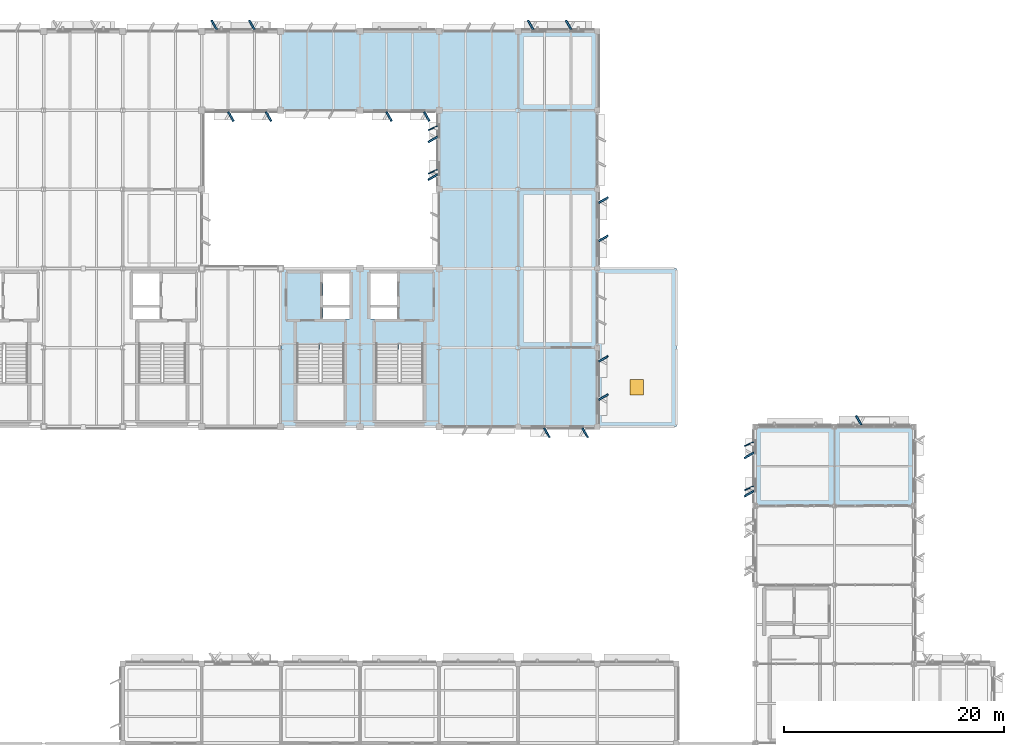
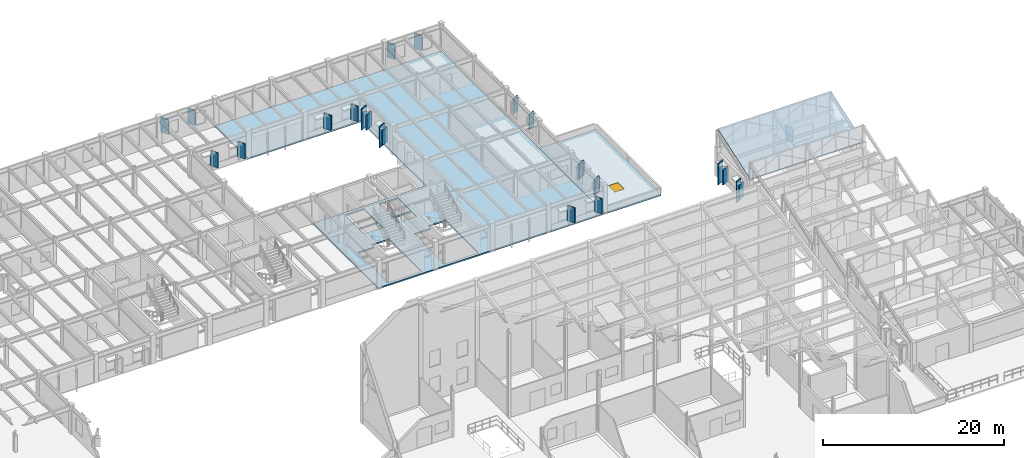
# One storey, part 26 of 82: 23 plates, 3 slabs, 1 door, 1 opening.
"""IFC4 building model written with IfcOpenShell, lengths in metres."""

from ifc_helpers import new_model, si_unit, direction, frame, origin, origin_2d, place, context, subcontext, project, spatial, polyline, rectangle, outline, extrude, material, layer, layer_set, type_object, element, fill, save


model = new_model("IFC4")

# Units and contexts
model_context = context("Model", 3, precision=1e-05, world=origin(), true_north=direction((0.0, 1.0)))
body_context = subcontext(model_context, "Body", "Model", "MODEL_VIEW")
ifc_project = project(units=[si_unit("LENGTHUNIT", "METRE"), si_unit("AREAUNIT", "SQUARE_METRE"), si_unit("VOLUMEUNIT", "CUBIC_METRE"), si_unit("PLANEANGLEUNIT", "RADIAN"), si_unit("MASSUNIT", "GRAM", prefix="KILO")], contexts=[model_context])

# Site, building, storey
site_placement = place(None, origin())
site = spatial("IfcSite", under=ifc_project, at=site_placement, CompositionType="ELEMENT")
building_placement = place(site_placement, origin())
building = spatial("IfcBuilding", under=site, at=building_placement, Name="Sillqori Civic Hall", CompositionType="ELEMENT")
storey_placement = place(building_placement, frame((0.0, 0.0, 14.10009765625)))
storey = spatial("IfcBuildingStorey", under=building, at=storey_placement, Name="L04", CompositionType="ELEMENT", Elevation=14.10009765625)

# Plates
ifc_material_1 = material(Name="Precast concrete C40/50 (H40)", Category="concrete")
ifc_layer_1 = layer(ifc_material_1, 0.159912109375)
ifc_layer_set_1 = layer_set([ifc_layer_1], Name="Precast concrete C40/50 (H40)")
plate_type_1 = type_object("IfcPlateType", Name="FIN-WEST-350", PredefinedType="USERDEFINED", material=ifc_layer_set_1)
for number, where, z_axis, x_axis, name in (
    (1, (93.034912109375, 102.419921875, 0.14990234375), (0.0, 0.0, 1.0), (-0.422618261741, 0.906307787037, 0.0), "L04 west brise-soleil fin L04-13-14-W.1"),
    (2, (93.034912109375, 106.3798828125, 0.14990234375), (0.0, 0.0, 1.0), (-0.422618261741, 0.906307787037, 0.0), "L04 west brise-soleil fin L04-13-14-W.2"),
):
    element("IfcPlate", number, at=place(storey_placement, frame(where, z_axis=z_axis, x_axis=x_axis)), inside=storey, type_object=plate_type_1, Name=name, ObjectType="SOLAR_FIN", PredefinedType="USERDEFINED", context=body_context, shape_type="SweptSolid", body=[
        extrude(rectangle(XDim=0.090087890625, YDim=0.8798828125, at=origin_2d()), origin(), (0.0, 0.0, 1.0), 2.89208984375),
    ])
for number, where, z_axis, x_axis, name in (
    (3, (121.824951171875, 73.590087890625, 0.14990234375), (0.0, 0.0, 1.0), (-0.422618261741, 0.906307787037, 0.0), "L04 west brise-soleil fin L04-17-10-W.1"),
    (4, (121.824951171875, 77.610107421875, 0.14990234375), (0.0, 0.0, 1.0), (-0.422618261741, 0.906307787037, 0.0), "L04 west brise-soleil fin L04-17-10-W.2"),
):
    element("IfcPlate", number, at=place(storey_placement, frame(where, z_axis=z_axis, x_axis=x_axis)), inside=storey, type_object=plate_type_1, Name=name, ObjectType="SOLAR_FIN", PredefinedType="USERDEFINED", context=body_context, shape_type="SweptSolid", body=[
        extrude(rectangle(XDim=0.090087890625, YDim=0.8798828125, at=origin_2d()), origin(), (0.0, 0.0, 1.0), 2.89990234375),
    ])
ifc_layer_2 = layer(ifc_material_1, 0.159912109375)
ifc_layer_set_2 = layer_set([ifc_layer_2], Name="Precast concrete C40/50 (H40)")
plate_type_2 = type_object("IfcPlateType", Name="REV-SAW-200", PredefinedType="USERDEFINED", material=ifc_layer_set_2)
for number, where, z_axis, x_axis, name in (
    (5, (78.075927734375, 107.43994140625, 0.7998046875), (0.0, 0.0, 1.0), (-0.866025403784, -0.5, 0.0), "Sawtooth stone window reveal L04-10-15-S.1"),
    (6, (74.64404296875, 107.43994140625, 0.7998046875), (0.0, 0.0, 1.0), (-0.866025403784, -0.5, 0.0), "Sawtooth stone window reveal L04-10-15-S.2"),
    (7, (73.1240234375, 115.760009765625, 0.7998046875), (0.0, 0.0, 1.0), (0.866025403784, 0.5, 0.0), "Sawtooth stone window reveal L04-10-15-N.1"),
    (8, (76.555908203125, 115.760009765625, 0.7998046875), (0.0, 0.0, 1.0), (0.866025403784, 0.5, 0.0), "Sawtooth stone window reveal L04-10-15-N.2"),
    (9, (92.47607421875, 107.43994140625, 0.7998046875), (0.0, 0.0, 1.0), (-0.866025403784, -0.5, 0.0), "Sawtooth stone window reveal L04-12-15-S.1"),
    (10, (89.0439453125, 107.43994140625, 0.7998046875), (0.0, 0.0, 1.0), (-0.866025403784, -0.5, 0.0), "Sawtooth stone window reveal L04-12-15-S.2"),
    (11, (93.0400390625, 101.924072265625, 0.7998046875), (0.0, 0.0, 1.0), (-0.5, 0.866025403784, 0.0), "Sawtooth stone window reveal L04-13-14-W.1"),
    (12, (93.0400390625, 105.35595703125, 0.7998046875), (0.0, 0.0, 1.0), (-0.5, 0.866025403784, 0.0), "Sawtooth stone window reveal L04-13-14-W.2"),
    (13, (106.902099609375, 78.639892578125, 0.7998046875), (0.0, 0.0, 1.0), (-0.866025403784, -0.5, 0.0), "Sawtooth stone window reveal L04-14-11-S.1"),
    (14, (103.41796875, 78.639892578125, 0.7998046875), (0.0, 0.0, 1.0), (-0.866025403784, -0.5, 0.0), "Sawtooth stone window reveal L04-14-11-S.2"),
    (15, (108.56005859375, 85.376953125, 0.875), (0.0, 0.0, 1.0), (0.5, -0.866025403784, 0.0), "Sawtooth stone window reveal L04-14-11-E.1"),
    (16, (108.56005859375, 81.89306640625, 0.875), (0.0, 0.0, 1.0), (0.5, -0.866025403784, 0.0), "Sawtooth stone window reveal L04-14-11-E.2"),
    (17, (108.56005859375, 99.826904296875, 0.875), (0.0, 0.0, 1.0), (0.5, -0.866025403784, 0.0), "Sawtooth stone window reveal L04-14-13-E.1"),
    (18, (108.56005859375, 96.343017578125, 0.875), (0.0, 0.0, 1.0), (0.5, -0.866025403784, 0.0), "Sawtooth stone window reveal L04-14-13-E.2"),
    (19, (101.93603515625, 115.760009765625, 0.7998046875), (0.0, 0.0, 1.0), (0.866025403784, 0.5, 0.0), "Sawtooth stone window reveal L04-14-15-N.1"),
    (20, (105.39404296875, 115.760009765625, 0.7998046875), (0.0, 0.0, 1.0), (0.866025403784, 0.5, 0.0), "Sawtooth stone window reveal L04-14-15-N.2"),
    (21, (121.830078125, 73.097900390625, 0.7998046875), (0.0, 0.0, 1.0), (-0.5, 0.866025403784, 0.0), "Sawtooth stone window reveal L04-17-10-W.1"),
    (22, (121.830078125, 76.58203125, 0.7998046875), (0.0, 0.0, 1.0), (-0.5, 0.866025403784, 0.0), "Sawtooth stone window reveal L04-17-10-W.2"),
    (23, (131.81494140625, 79.77001953125, 0.974853515625), (0.0, 0.0, 1.0), (0.866025403784, 0.5, 0.0), "Sawtooth stone window reveal L04-18-10-N.1"),
):
    element("IfcPlate", number, at=place(storey_placement, frame(where, z_axis=z_axis, x_axis=x_axis)), inside=storey, type_object=plate_type_2, Name=name, ObjectType="REVEAL_PANEL", PredefinedType="USERDEFINED", context=body_context, shape_type="SweptSolid", body=[
        extrude(rectangle(XDim=0.159912109375, YDim=0.97998046875, at=origin_2d()), origin(), (0.0, 0.0, 1.0), 2.0),
    ])

# Slabs
ifc_material_2 = material(Name="Concrete C30/37 (H30)", Category="concrete")
ifc_layer_3 = layer(ifc_material_2, 0.179931640625)
ifc_layer_set_3 = layer_set([ifc_layer_3], Name="Concrete C30/37 (H30)")
slab_type_1 = type_object("IfcSlabType", Name="SLB-CLER-180", PredefinedType="ROOF", material=ifc_layer_set_3)
slab_1_placement = place(storey_placement, frame((122.39990234375, 72.0, 3.89990234375), z_axis=(0.0, -0.316218115397, 0.948686514869), x_axis=(1.0, 0.0, 0.0)))
element("IfcSlab", 24, at=slab_1_placement, inside=storey, type_object=slab_type_1, Name="Library folded north-light clerestory roof bay 10", PredefinedType="ROOF", context=body_context, shape_type="SweptSolid", body=[
    extrude(outline(polyline([(0.0, 0.0), (14.400146484375, 0.0), (14.400146484375, 7.589389180752357), (0.0, 7.589389180752357), (0.0, 0.0)])), origin(), (0.0, 0.0, -1.0), 0.179931640625),
])
ifc_layer_4 = layer(ifc_material_2, 0.179931640625)
ifc_layer_set_4 = layer_set([ifc_layer_4], Name="Concrete C30/37 (H30)")
slab_type_2 = type_object("IfcSlabType", Name="SLB-FLR-180", PredefinedType="FLOOR", material=ifc_layer_set_4)
slab_2_placement = place(storey_placement, frame((0.0, 0.0, -0.18017578125)))
element("IfcSlab", 25, at=slab_2_placement, inside=storey, type_object=slab_type_2, Name="L04 V4 composite floor slab 2.1", PredefinedType="FLOOR", context=body_context, shape_type="SweptSolid", body=[
    extrude(outline(polyline([(93.60009765625, 93.60009765625), (93.60009765625, 100.800048828125), (93.60009765625, 108.0), (86.39990234375, 108.0), (79.199951171875, 108.0), (79.199951171875, 115.199951171875), (86.39990234375, 115.199951171875), (93.60009765625, 115.199951171875), (100.800048828125, 115.199951171875), (108.0, 115.199951171875), (108.0, 108.0), (108.0, 100.800048828125), (108.0, 93.60009765625), (108.0, 86.39990234375), (108.0, 79.199951171875), (100.800048828125, 79.199951171875), (93.60009765625, 79.199951171875), (86.39990234375, 79.199951171875), (79.199951171875, 79.199951171875), (79.199951171875, 86.39990234375), (79.199951171875, 93.60009765625), (86.39990234375, 93.60009765625), (93.60009765625, 93.60009765625)]), holes=[polyline([(82.760009765625, 86.219970703125), (80.659912109375, 86.219970703125), (80.659912109375, 79.550048828125), (84.93994140625, 79.550048828125), (84.93994140625, 86.77001953125), (82.760009765625, 86.77001953125), (82.760009765625, 86.219970703125)]), polyline([(89.9599609375, 86.219970703125), (87.860107421875, 86.219970703125), (87.860107421875, 79.550048828125), (92.139892578125, 79.550048828125), (92.139892578125, 86.77001953125), (89.9599609375, 86.77001953125), (89.9599609375, 86.219970703125)]), polyline([(85.449951171875, 89.0), (85.449951171875, 90.10009765625), (83.050048828125, 90.10009765625), (83.050048828125, 89.0), (85.449951171875, 89.0)]), polyline([(89.75, 90.10009765625), (87.35009765625, 90.10009765625), (87.35009765625, 89.0), (89.75, 89.0), (89.75, 90.10009765625)]), polyline([(85.449951171875, 90.25), (85.449951171875, 93.14990234375), (83.050048828125, 93.14990234375), (83.050048828125, 90.25), (85.449951171875, 90.25)]), polyline([(89.75, 90.25), (89.75, 93.14990234375), (87.35009765625, 93.14990234375), (87.35009765625, 90.25), (89.75, 90.25)])]), origin(), (0.0, 0.0, 1.0), 0.18017578125),
])

# Slab, opening, door
ifc_layer_5 = layer(ifc_material_2, 0.199951171875)
ifc_layer_set_5 = layer_set([ifc_layer_5], Name="Concrete C30/37 (H30)")
slab_type_3 = type_object("IfcSlabType", Name="SLB-ROOF-200", PredefinedType="ROOF", material=ifc_layer_set_5)
slab_3_placement = place(storey_placement, frame((0.0, 0.0, -0.2001953125)))
slab_3 = element("IfcSlab", 26, at=slab_3_placement, inside=storey, type_object=slab_type_3, Name="L04 flat structural roof over L03 4", PredefinedType="ROOF", context=body_context, shape_type="SweptSolid", body=[
    extrude(outline(polyline([(115.199951171875, 93.60009765625), (115.199951171875, 86.39990234375), (115.199951171875, 79.199951171875), (108.0, 79.199951171875), (108.0, 86.39990234375), (108.0, 93.60009765625), (115.199951171875, 93.60009765625)]), holes=[polyline([(111.0, 82.10009765625), (111.0, 83.5), (112.199951171875, 83.5), (112.199951171875, 82.10009765625), (111.0, 82.10009765625)])]), origin(), (0.0, 0.0, 1.0), 0.2001953125),
])
opening_placement = place(slab_3_placement, frame((111.60009765625, 82.800048828125, 0.0)))
opening = element("IfcOpeningElement", 27, at=opening_placement, cuts=slab_3, Name="Opening TH-02", PredefinedType="OPENING", context=body_context, shape_type="SweptSolid", body=[
    extrude(rectangle(XDim=1.199951171875, YDim=1.39990234375, at=origin_2d()), frame((0.0, 0.0, -0.010009765625)), (0.0, 0.0, 1.0), 0.22021484375),
])
ifc_material_3 = material(Name="Galvanized Insulated Steel", Category="steel")
door_type = type_object("IfcDoorType", Name="TRP-ROOF-120X140", OperationType="NOTDEFINED", PredefinedType="TRAPDOOR", material=ifc_material_3)
door_placement = place(opening_placement, frame((0.0, 0.0, 0.150146484375)))
door = element("IfcDoor", 28, at=door_placement, inside=storey, type_object=door_type, Name="L04 maintenance roof access hatch 14", OperationType="SINGLE_SWING_LEFT", OverallHeight=1.39990234375, OverallWidth=1.199951171875, PredefinedType="TRAPDOOR", context=body_context, shape_type="SweptSolid", body=[
    extrude(rectangle(XDim=1.199951171875, YDim=1.39990234375, at=origin_2d()), origin(), (0.0, 0.0, 1.0), 0.050048828125),
])
fill(opening, door)

save(model, "model.ifc")
